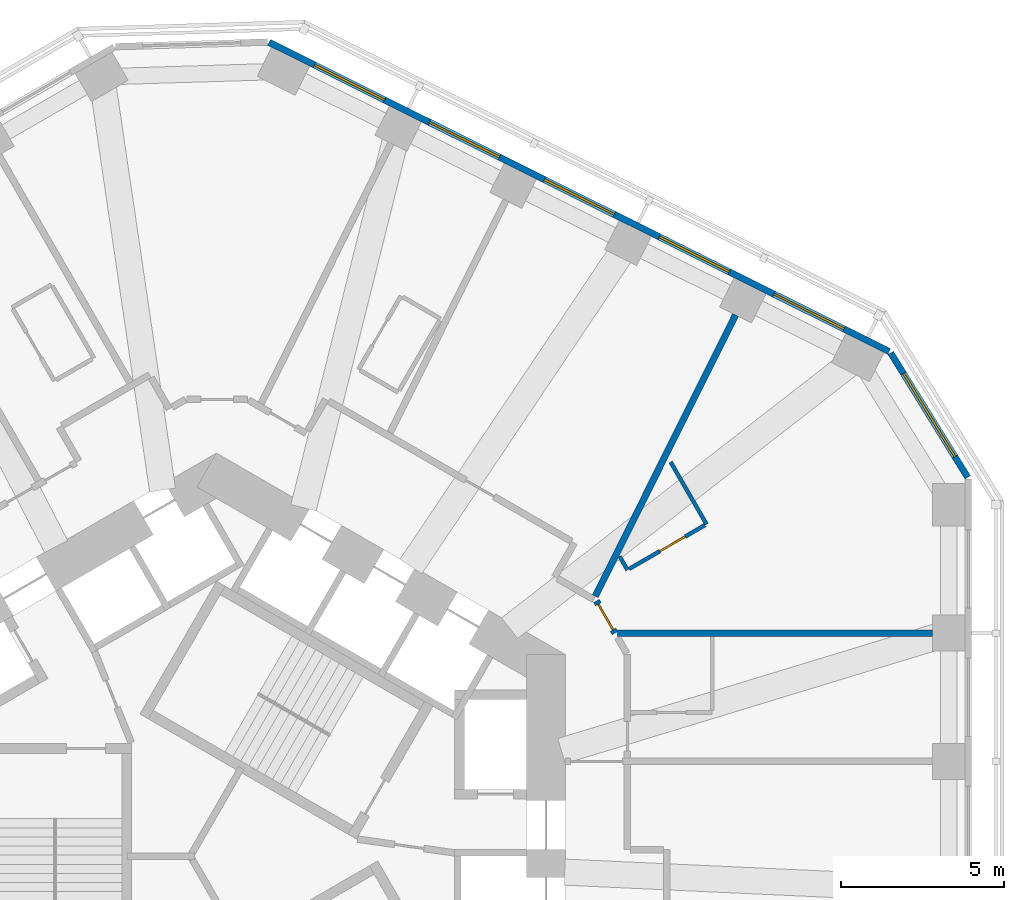
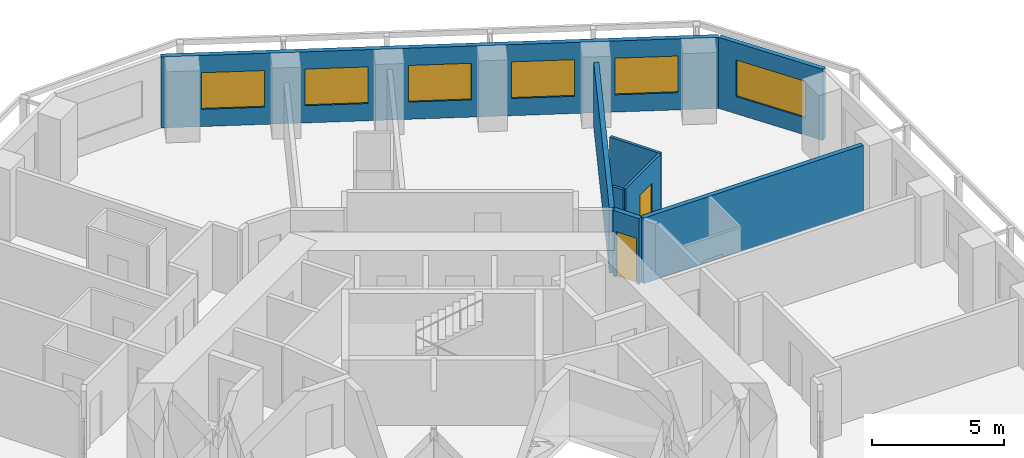
# One storey, part 9 of 12: 8 walls, 6 windows, 2 doors, 8 openings.
"""IFC4 building model written with IfcOpenShell, lengths in metres."""

from ifc_helpers import new_model, si_unit, direction, frame, frame_2d, origin, place, context, subcontext, project, spatial, rectangle, extrude, material, layer, layer_set, type_object, element, fill, save


model = new_model("IFC4")

# Units and contexts
model_context = context("Model", 3, precision=1e-05, world=origin(), true_north=direction((0.0, 1.0)))
body_context = subcontext(model_context, "Body", "Model", "MODEL_VIEW")
ifc_project = project(units=[si_unit("LENGTHUNIT", "METRE"), si_unit("AREAUNIT", "SQUARE_METRE"), si_unit("VOLUMEUNIT", "CUBIC_METRE"), si_unit("PLANEANGLEUNIT", "RADIAN"), si_unit("MASSUNIT", "GRAM", prefix="KILO")], contexts=[model_context])

# Site, building, storey
site_placement = place(None, origin())
site = spatial("IfcSite", under=ifc_project, at=site_placement, CompositionType="ELEMENT")
building_placement = place(site_placement, origin())
building = spatial("IfcBuilding", under=site, at=building_placement, Name="Vanh Sen Convention Tower", CompositionType="ELEMENT")
storey_placement = place(building_placement, frame((0.0, 0.0, 106.699951171875)))
storey = spatial("IfcBuildingStorey", under=building, at=storey_placement, Name="L25", CompositionType="ELEMENT", Elevation=106.699951171875)

# Walls
ifc_material_1 = material(Name="Moisture-resistant gypsum board on steel studs", Category="steel")
ifc_layer_1 = layer(ifc_material_1, 0.1201171875)
ifc_layer_set_1 = layer_set([ifc_layer_1], Name="Moisture-resistant gypsum board on steel studs")
wall_type_1 = type_object("IfcWallType", Name="Bathroom partition 120", PredefinedType="PARTITIONING", material=ifc_layer_set_1)
wall_1_placement = place(storey_placement, frame((12.600830078125, 8.776123046875, 0.0), z_axis=(0.0, 0.0, 1.0), x_axis=(-0.500166486798, 0.865929261247, 0.0)))
element("IfcWall", 1, at=wall_1_placement, inside=storey, type_object=wall_type_1, Name="Bathroom partition 120", PredefinedType="PARTITIONING", context=body_context, shape_type="SweptSolid", body=[
    extrude(rectangle(XDim=0.475830078125, YDim=0.1201171875, at=frame_2d((0.23779296875, 0.0))), origin(), (0.0, 0.0, 1.0), 3.050048828125),
])
wall_2_placement = place(storey_placement, frame((13.92578125, 12.081298828125, 0.0), z_axis=(0.0, 0.0, 1.0), x_axis=(0.499994660107, -0.866028486751, 0.0)))
element("IfcWall", 2, at=wall_2_placement, inside=storey, type_object=wall_type_1, Name="Bathroom partition 120", PredefinedType="PARTITIONING", context=body_context, shape_type="SweptSolid", body=[
    extrude(rectangle(XDim=2.19970703125, YDim=0.1201171875, at=frame_2d((1.099853515625, 0.0))), origin(), (0.0, 0.0, 1.0), 3.050048828125),
])

# Wall, opening, door
wall_3_placement = place(storey_placement, frame((14.9736328125, 10.146240234375, 0.0), z_axis=(0.0, 0.0, 1.0), x_axis=(-0.86599746015, -0.500048396672, 0.0)))
wall_3 = element("IfcWall", 3, at=wall_3_placement, inside=storey, type_object=wall_type_1, Name="Bathroom partition 120", PredefinedType="PARTITIONING", context=body_context, shape_type="SweptSolid", body=[
    extrude(rectangle(XDim=2.679931640625, YDim=0.1201171875, at=frame_2d((1.33984375, 0.0))), origin(), (0.0, 0.0, 1.0), 3.050048828125),
])
opening_1_placement = place(wall_3_placement, frame((0.68994140625, 0.0, 0.0)))
opening_1 = element("IfcOpeningElement", 4, at=opening_1_placement, cuts=wall_3, Name="Opening D25105", PredefinedType="OPENING", context=body_context, shape_type="SweptSolid", body=[
    extrude(rectangle(XDim=0.89990234375, YDim=2.10009765625, at=frame_2d((0.449951171875, 1.050048828125))), frame((0.0, 0.070068359375, 0.0), z_axis=(0.0, -1.0, 0.0), x_axis=(1.0, 0.0, 0.0)), (0.0, 0.0, 1.0), 0.14013671875),
])
ifc_material_2 = material(Name="Laminate door in steel frame", Category="steel")
door_type_1 = type_object("IfcDoorType", Name="En-suite door 900", OperationType="SINGLE_SWING_LEFT", PredefinedType="DOOR", material=ifc_material_2)
door_1_placement = place(opening_1_placement, origin())
door_1 = element("IfcDoor", 5, at=door_1_placement, inside=storey, type_object=door_type_1, Name="En-suite door D25105", OperationType="SINGLE_SWING_LEFT", OverallHeight=2.10009765625, OverallWidth=0.89990234375, PredefinedType="DOOR", context=body_context, shape_type="SweptSolid", body=[
    extrude(rectangle(XDim=0.89990234375, YDim=2.10009765625, at=frame_2d((0.449951171875, 1.050048828125))), frame((0.0, 0.02490234375, 0.0), z_axis=(0.0, -1.0, 0.0), x_axis=(1.0, 0.0, 0.0)), (0.0, 0.0, 1.0), 0.050048828125),
])
fill(opening_1, door_1)

ifc_material_3 = material(Name="Gypsum board on steel studs with mineral wool", Category="steel")
ifc_layer_2 = layer(ifc_material_3, 0.199951171875)
ifc_layer_set_2 = layer_set([ifc_layer_2], Name="Gypsum board on steel studs with mineral wool")
wall_type_2 = type_object("IfcWallType", Name="Corridor partition wall 200", PredefinedType="PARTITIONING", material=ifc_layer_set_2)
wall_4_placement = place(storey_placement, frame((12.218017578125, 6.839111328125, 0.0), z_axis=(0.0, 0.0, 1.0), x_axis=(-0.500044870432, 0.865999496279, 0.0)))
wall_4 = element("IfcWall", 6, at=wall_4_placement, inside=storey, type_object=wall_type_2, Name="Corridor partition wall 200", PredefinedType="PARTITIONING", context=body_context, shape_type="SweptSolid", body=[
    extrude(rectangle(XDim=1.13623046875, YDim=0.199951171875, at=frame_2d((0.568115234375, 0.0))), origin(), (0.0, 0.0, 1.0), 3.050048828125),
])
opening_2_placement = place(wall_4_placement, frame((0.1181640625, 0.0, 0.0)))
opening_2 = element("IfcOpeningElement", 7, at=opening_2_placement, cuts=wall_4, Name="Opening D25104", PredefinedType="OPENING", context=body_context, shape_type="SweptSolid", body=[
    extrude(rectangle(XDim=0.89990234375, YDim=2.10009765625, at=frame_2d((0.449951171875, 1.050048828125))), frame((0.0, 0.10986328125, 0.0), z_axis=(0.0, -1.0, 0.0), x_axis=(1.0, 0.0, 0.0)), (0.0, 0.0, 1.0), 0.219970703125),
])
ifc_material_4 = material(Name="Timber fire door in steel frame", Category="steel")
door_type_2 = type_object("IfcDoorType", Name="Guest room door 900", OperationType="SINGLE_SWING_LEFT", PredefinedType="DOOR", material=ifc_material_4)
door_2_placement = place(opening_2_placement, origin())
door_2 = element("IfcDoor", 8, at=door_2_placement, inside=storey, type_object=door_type_2, Name="Hotel guest room door D25104", OperationType="SINGLE_SWING_LEFT", OverallHeight=2.10009765625, OverallWidth=0.89990234375, PredefinedType="DOOR", context=body_context, shape_type="SweptSolid", body=[
    extrude(rectangle(XDim=0.89990234375, YDim=2.10009765625, at=frame_2d((0.449951171875, 1.050048828125))), frame((0.0, 0.02490234375, 0.0), z_axis=(0.0, -1.0, 0.0), x_axis=(1.0, 0.0, 0.0)), (0.0, 0.0, 1.0), 0.050048828125),
])
fill(opening_2, door_2)

# Wall, opening, window
ifc_material_5 = material(Name="Insulated lightweight infill wall")
ifc_layer_3 = layer(ifc_material_5, 0.199951171875)
ifc_layer_set_3 = layer_set([ifc_layer_3], Name="Insulated lightweight infill wall")
wall_type_3 = type_object("IfcWallType", Name="External wall 200", PredefinedType="STANDARD", material=ifc_layer_set_3)
wall_5_placement = place(storey_placement, frame((23.034912109375, 11.612060546875, 0.0), z_axis=(0.0, 0.0, 1.0), x_axis=(-0.526160091227, 0.850385535155, 0.0)))
wall_5 = element("IfcWall", 9, at=wall_5_placement, inside=storey, type_object=wall_type_3, Name="External wall CH1 L25", PredefinedType="STANDARD", context=body_context, shape_type="SweptSolid", body=[
    extrude(rectangle(XDim=4.493896484375, YDim=0.199951171875, at=frame_2d((2.2470703125, 0.0))), origin(), (0.0, 0.0, 1.0), 3.300048828125),
])
opening_3_placement = place(wall_5_placement, frame((0.746826171875, 0.0, 0.800048828125)))
opening_3 = element("IfcOpeningElement", 10, at=opening_3_placement, cuts=wall_5, Name="Opening WH2-CH11", PredefinedType="OPENING", context=body_context, shape_type="SweptSolid", body=[
    extrude(rectangle(XDim=3.0, YDim=1.699951171875, at=frame_2d((1.5, 0.85009765625))), frame((0.0, 0.10986328125, 0.0), z_axis=(0.0, -1.0, 0.0), x_axis=(1.0, 0.0, 0.0)), (0.0, 0.0, 1.0), 0.219970703125),
])
ifc_material_6 = material(Name="Aluminium frame with clear low-emissivity glass", Category="aluminium")
window_type_1 = type_object("IfcWindowType", Name="Hotel window 3000 x 1700", PartitioningType="SINGLE_PANEL", PredefinedType="WINDOW", material=ifc_material_6)
window_1_placement = place(opening_3_placement, origin())
window_1 = element("IfcWindow", 11, at=window_1_placement, inside=storey, type_object=window_type_1, Name="Window WH2-CH11", OverallHeight=1.699951171875, OverallWidth=3.0, PartitioningType="SINGLE_PANEL", PredefinedType="WINDOW", context=body_context, shape_type="SweptSolid", body=[
    extrude(rectangle(XDim=3.0, YDim=1.699951171875, at=frame_2d((1.5, 0.85009765625))), frame((0.0, 0.030029296875, 0.0), z_axis=(0.0, -1.0, 0.0), x_axis=(1.0, 0.0, 0.0)), (0.0, 0.0, 1.0), 0.06005859375),
])
fill(opening_3, window_1)

# Wall, openings, windows
wall_6_placement = place(storey_placement, frame((20.6298828125, 15.470458984375, 0.0), z_axis=(0.0, 0.0, 1.0), x_axis=(-0.894934518609, 0.446197498203, 0.0)))
wall_6 = element("IfcWall", 12, at=wall_6_placement, inside=storey, type_object=wall_type_3, Name="External wall NE L25", PredefinedType="STANDARD", context=body_context, shape_type="SweptSolid", body=[
    extrude(rectangle(XDim=21.24609375, YDim=0.199951171875, at=frame_2d((10.623046875, 0.0))), origin(), (0.0, 0.0, 1.0), 3.300048828125),
])
opening_4_placement = place(wall_6_placement, frame((1.552978515625, 0.0, 0.800048828125)))
opening_4 = element("IfcOpeningElement", 13, at=opening_4_placement, cuts=wall_6, Name="Opening WH1-NE1", PredefinedType="OPENING", context=body_context, shape_type="SweptSolid", body=[
    extrude(rectangle(XDim=2.39990234375, YDim=1.699951171875, at=frame_2d((1.199951171875, 0.85009765625))), frame((0.0, 0.10986328125, 0.0), z_axis=(0.0, -1.0, 0.0), x_axis=(1.0, 0.0, 0.0)), (0.0, 0.0, 1.0), 0.219970703125),
])
opening_5_placement = place(wall_6_placement, frame((5.48779296875, 0.0, 0.800048828125)))
opening_5 = element("IfcOpeningElement", 14, at=opening_5_placement, cuts=wall_6, Name="Opening WH1-NE2", PredefinedType="OPENING", context=body_context, shape_type="SweptSolid", body=[
    extrude(rectangle(XDim=2.39990234375, YDim=1.699951171875, at=frame_2d((1.199951171875, 0.85009765625))), frame((0.0, 0.10986328125, 0.0), z_axis=(0.0, -1.0, 0.0), x_axis=(1.0, 0.0, 0.0)), (0.0, 0.0, 1.0), 0.219970703125),
])
opening_6_placement = place(wall_6_placement, frame((9.42236328125, 0.0, 0.800048828125)))
opening_6 = element("IfcOpeningElement", 15, at=opening_6_placement, cuts=wall_6, Name="Opening WH1-NE3", PredefinedType="OPENING", context=body_context, shape_type="SweptSolid", body=[
    extrude(rectangle(XDim=2.39990234375, YDim=1.699951171875, at=frame_2d((1.199951171875, 0.85009765625))), frame((0.0, 0.10986328125, 0.0), z_axis=(0.0, -1.0, 0.0), x_axis=(1.0, 0.0, 0.0)), (0.0, 0.0, 1.0), 0.219970703125),
])
opening_7_placement = place(wall_6_placement, frame((13.35693359375, 0.0, 0.800048828125)))
opening_7 = element("IfcOpeningElement", 16, at=opening_7_placement, cuts=wall_6, Name="Opening WH1-NE4", PredefinedType="OPENING", context=body_context, shape_type="SweptSolid", body=[
    extrude(rectangle(XDim=2.39990234375, YDim=1.699951171875, at=frame_2d((1.199951171875, 0.85009765625))), frame((0.0, 0.10986328125, 0.0), z_axis=(0.0, -1.0, 0.0), x_axis=(1.0, 0.0, 0.0)), (0.0, 0.0, 1.0), 0.219970703125),
])
opening_8_placement = place(wall_6_placement, frame((17.29150390625, 0.0, 0.800048828125)))
opening_8 = element("IfcOpeningElement", 17, at=opening_8_placement, cuts=wall_6, Name="Opening WH1-NE5", PredefinedType="OPENING", context=body_context, shape_type="SweptSolid", body=[
    extrude(rectangle(XDim=2.39990234375, YDim=1.699951171875, at=frame_2d((1.199951171875, 0.85009765625))), frame((0.0, 0.10986328125, 0.0), z_axis=(0.0, -1.0, 0.0), x_axis=(1.0, 0.0, 0.0)), (0.0, 0.0, 1.0), 0.219970703125),
])
window_type_2 = type_object("IfcWindowType", Name="Hotel window 2400 x 1700", PartitioningType="SINGLE_PANEL", PredefinedType="WINDOW", material=ifc_material_6)
window_2_placement = place(opening_4_placement, origin())
window_2 = element("IfcWindow", 18, at=window_2_placement, inside=storey, type_object=window_type_2, Name="Window WH1-NE1", OverallHeight=1.699951171875, OverallWidth=2.39990234375, PartitioningType="SINGLE_PANEL", PredefinedType="WINDOW", context=body_context, shape_type="SweptSolid", body=[
    extrude(rectangle(XDim=2.39990234375, YDim=1.699951171875, at=frame_2d((1.199951171875, 0.85009765625))), frame((0.0, 0.030029296875, 0.0), z_axis=(0.0, -1.0, 0.0), x_axis=(1.0, 0.0, 0.0)), (0.0, 0.0, 1.0), 0.06005859375),
])
fill(opening_4, window_2)
window_3_placement = place(opening_5_placement, origin())
window_3 = element("IfcWindow", 19, at=window_3_placement, inside=storey, type_object=window_type_2, Name="Window WH1-NE2", OverallHeight=1.699951171875, OverallWidth=2.39990234375, PartitioningType="SINGLE_PANEL", PredefinedType="WINDOW", context=body_context, shape_type="SweptSolid", body=[
    extrude(rectangle(XDim=2.39990234375, YDim=1.699951171875, at=frame_2d((1.199951171875, 0.85009765625))), frame((0.0, 0.030029296875, 0.0), z_axis=(0.0, -1.0, 0.0), x_axis=(1.0, 0.0, 0.0)), (0.0, 0.0, 1.0), 0.06005859375),
])
fill(opening_5, window_3)
window_4_placement = place(opening_6_placement, origin())
window_4 = element("IfcWindow", 20, at=window_4_placement, inside=storey, type_object=window_type_2, Name="Window WH1-NE3", OverallHeight=1.699951171875, OverallWidth=2.39990234375, PartitioningType="SINGLE_PANEL", PredefinedType="WINDOW", context=body_context, shape_type="SweptSolid", body=[
    extrude(rectangle(XDim=2.39990234375, YDim=1.699951171875, at=frame_2d((1.199951171875, 0.85009765625))), frame((0.0, 0.030029296875, 0.0), z_axis=(0.0, -1.0, 0.0), x_axis=(1.0, 0.0, 0.0)), (0.0, 0.0, 1.0), 0.06005859375),
])
fill(opening_6, window_4)
window_5_placement = place(opening_7_placement, origin())
window_5 = element("IfcWindow", 21, at=window_5_placement, inside=storey, type_object=window_type_2, Name="Window WH1-NE4", OverallHeight=1.699951171875, OverallWidth=2.39990234375, PartitioningType="SINGLE_PANEL", PredefinedType="WINDOW", context=body_context, shape_type="SweptSolid", body=[
    extrude(rectangle(XDim=2.39990234375, YDim=1.699951171875, at=frame_2d((1.199951171875, 0.85009765625))), frame((0.0, 0.030029296875, 0.0), z_axis=(0.0, -1.0, 0.0), x_axis=(1.0, 0.0, 0.0)), (0.0, 0.0, 1.0), 0.06005859375),
])
fill(opening_7, window_5)
window_6_placement = place(opening_8_placement, origin())
window_6 = element("IfcWindow", 22, at=window_6_placement, inside=storey, type_object=window_type_2, Name="Window WH1-NE5", OverallHeight=1.699951171875, OverallWidth=2.39990234375, PartitioningType="SINGLE_PANEL", PredefinedType="WINDOW", context=body_context, shape_type="SweptSolid", body=[
    extrude(rectangle(XDim=2.39990234375, YDim=1.699951171875, at=frame_2d((1.199951171875, 0.85009765625))), frame((0.0, 0.030029296875, 0.0), z_axis=(0.0, -1.0, 0.0), x_axis=(1.0, 0.0, 0.0)), (0.0, 0.0, 1.0), 0.06005859375),
])
fill(opening_8, window_6)

# Walls
ifc_layer_4 = layer(ifc_material_3, 0.199951171875)
ifc_layer_set_4 = layer_set([ifc_layer_4], Name="Gypsum board on steel studs with mineral wool")
wall_type_4 = type_object("IfcWallType", Name="Hotel party wall 200", PredefinedType="PARTITIONING", material=ifc_layer_set_4)
wall_7_placement = place(storey_placement, frame((15.91455078125, 16.59228515625, 0.0), z_axis=(0.0, 0.0, 1.0), x_axis=(-0.446199736347, -0.894933402709, 0.0)))
element("IfcWall", 23, at=wall_7_placement, inside=storey, type_object=wall_type_4, Name="Hotel party wall 200", PredefinedType="PARTITIONING", context=body_context, shape_type="SweptSolid", body=[
    extrude(rectangle(XDim=9.634765625, YDim=0.199951171875, at=frame_2d((4.8173828125, 0.0))), origin(), (0.0, 0.0, 1.0), 3.050048828125),
])
wall_8_placement = place(storey_placement, frame((21.949951171875, 6.839111328125, 0.0), z_axis=(0.0, 0.0, 1.0), x_axis=(-1.0, 0.0, 0.0)))
element("IfcWall", 24, at=wall_8_placement, inside=storey, type_object=wall_type_4, Name="Hotel party wall 200", PredefinedType="PARTITIONING", context=body_context, shape_type="SweptSolid", body=[
    extrude(rectangle(XDim=9.64990234375, YDim=0.199951171875, at=frame_2d((4.824951171875, 0.0))), origin(), (0.0, 0.0, 1.0), 3.050048828125),
])

save(model, "model.ifc")
